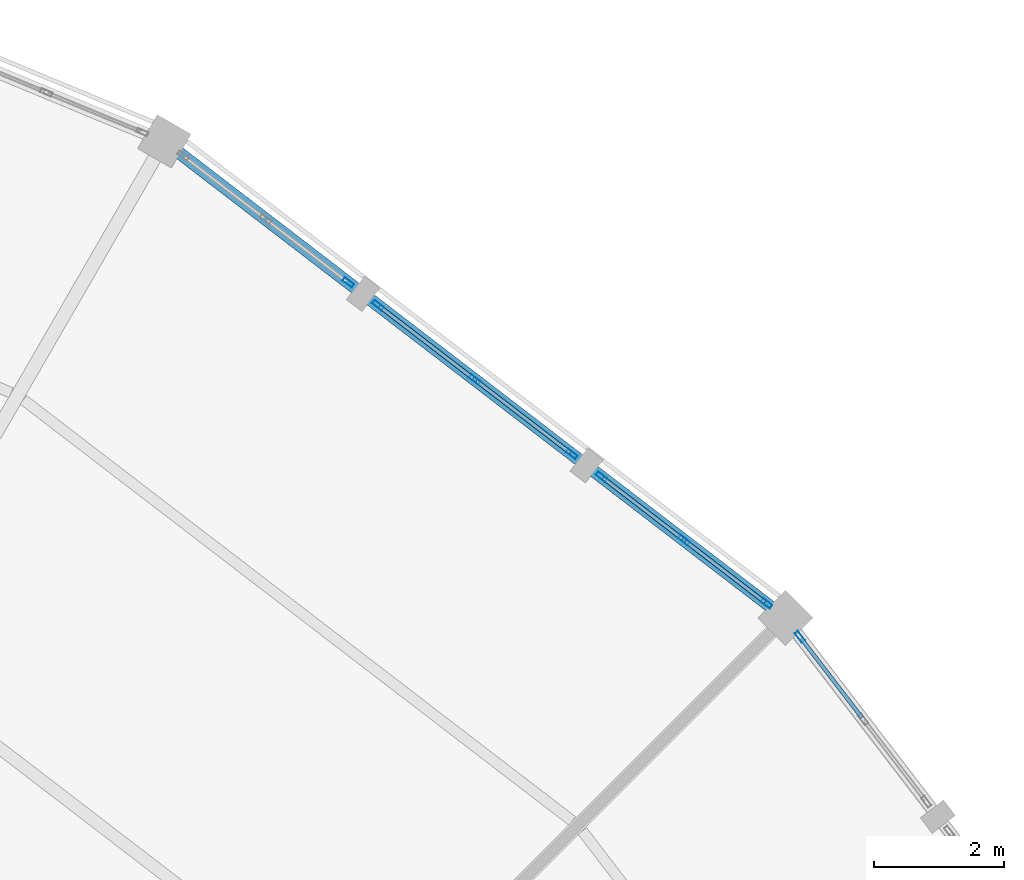
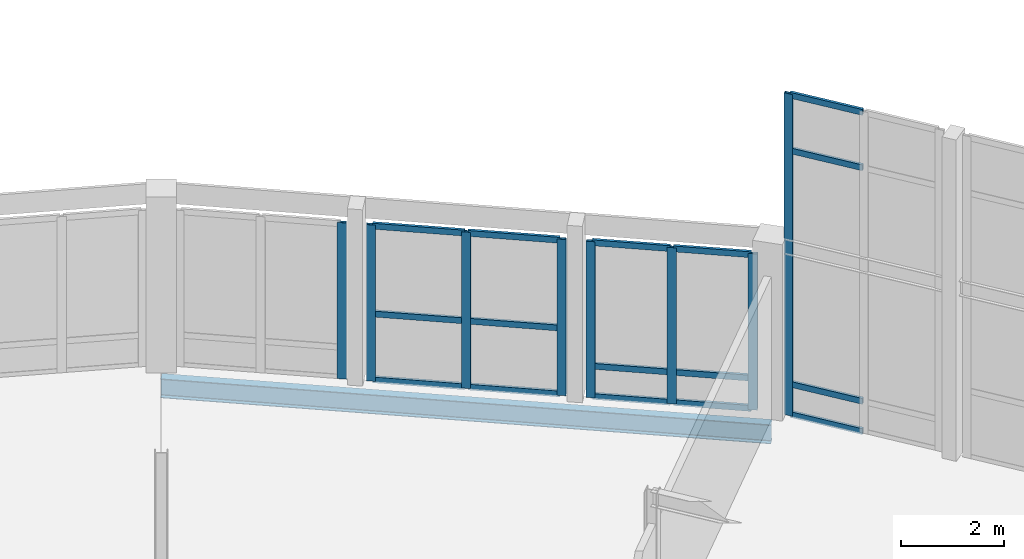
# One storey, part 132 of 185: 24 members, 1 beam, 4 elements without a shape of their own.
"""IFC4 building model written with IfcOpenShell, lengths in metres."""

from ifc_helpers import new_model, si_unit, direction, frame, origin, origin_2d, place, context, subcontext, project, spatial, hollow_rectangle, i_section, extrude, material, material_profile, profile_set, type_object, element, aggregate, save


model = new_model("IFC4")

# Units and contexts
model_context = context("Model", 3, precision=1e-05, world=origin(), true_north=direction((0.0, 1.0)))
body_context = subcontext(model_context, "Body", "Model", "MODEL_VIEW")
ifc_project = project(units=[si_unit("LENGTHUNIT", "METRE"), si_unit("AREAUNIT", "SQUARE_METRE"), si_unit("VOLUMEUNIT", "CUBIC_METRE"), si_unit("PLANEANGLEUNIT", "RADIAN"), si_unit("MASSUNIT", "GRAM", prefix="KILO")], contexts=[model_context])

# Site, building, storey
site_placement = place(None, origin())
site = spatial("IfcSite", under=ifc_project, at=site_placement, CompositionType="ELEMENT")
building_placement = place(site_placement, origin())
building = spatial("IfcBuilding", under=site, at=building_placement, Name="Vondelvale Polytechnic", CompositionType="ELEMENT")
storey_placement = place(building_placement, frame((0.0, 0.0, 9.60009765625)))
storey = spatial("IfcBuildingStorey", under=building, at=storey_placement, Name="L02", CompositionType="ELEMENT", Elevation=9.60009765625)

# Beam
ifc_material_1 = material(Name="Steel 300PLUS (fy = 300 MPa)", Category="steel")
ifc_material_profile_1 = material_profile(ifc_material_1, i_section(OverallWidth=0.18994140625, OverallDepth=0.45703125, WebThickness=0.009033203125, FlangeThickness=0.014404296875, FilletRadius=0.011474609375, at=origin_2d()), Name="460UB74.6")
ifc_profile_set_1 = profile_set([ifc_material_profile_1], Name="Steel 300PLUS (fy = 300 MPa)")
beam_type = type_object("IfcBeamType", Name="BM-UB460", PredefinedType="BEAM", material=ifc_profile_set_1)
beam_placement = place(storey_placement, frame((134.52685546875, 104.52685546875, -0.508544921875), z_axis=(-0.793349743808, 0.608766116008, 0.0), x_axis=(-0.608766116008, -0.793349743808, 0.0)))
element("IfcBeam", 1, at=beam_placement, inside=storey, type_object=beam_type, Name="L02 RB B-13", PredefinedType="BEAM", context=body_context, shape_type="SweptSolid", body=[
    extrude(i_section(OverallWidth=0.18994140625, OverallDepth=0.45703125, WebThickness=0.009033203125, FlangeThickness=0.014404296875, FilletRadius=0.011474609375, at=origin_2d()), origin(), (0.0, 0.0, 1.0), 12.00830078125),
])

# Curtain wall, member
ifc_material_2 = material(Name="Glulam GL18 structural Tasmanian oak (fb = 42 MPa)", Category="wood")
curtain_wall_type = type_object("IfcCurtainWallType", Name="CW-RING-OUTER", PredefinedType="NOTDEFINED", material=ifc_material_2)
curtain_wall_1_placement = place(storey_placement, origin())
curtain_wall_1 = element("IfcCurtainWall", 2, at=curtain_wall_1_placement, inside=storey, type_object=curtain_wall_type, Name="L02 architectural curtain wall CW-04-096", PredefinedType="NOTDEFINED")
ifc_material_3 = material(Name="Anodised extruded aluminium 6063-T6", Category="aluminium")
ifc_material_profile_2 = material_profile(ifc_material_3, hollow_rectangle(XDim=0.06494140625, YDim=0.179931640625, WallThickness=0.00390625, at=origin_2d()), Name="CW-MUL-180x65")
ifc_profile_set_2 = profile_set([ifc_material_profile_2], Name="Anodised extruded aluminium 6063-T6")
member_type_1 = type_object("IfcMemberType", Name="CW-MUL-65x180", PredefinedType="MULLION", material=ifc_profile_set_2)
member_1_placement = place(storey_placement, frame((134.749267578125, 104.237060546875, 0.0), z_axis=(0.0, 0.0, 1.0), x_axis=(-0.793333825656, -0.608786860133, 0.0)))
member_1 = element("IfcMember", 3, at=member_1_placement, type_object=member_type_1, Name="CW-04-096 mullion 3", PredefinedType="MULLION", context=body_context, shape_type="SweptSolid", body=[
    extrude(hollow_rectangle(XDim=0.06494140625, YDim=0.179931640625, WallThickness=0.00390625, at=origin_2d()), origin(), (0.0, 0.0, 1.0), 7.661376953125),
])

# Curtain wall, members
curtain_wall_2_placement = place(storey_placement, origin())
curtain_wall_2 = element("IfcCurtainWall", 4, at=curtain_wall_2_placement, inside=storey, type_object=curtain_wall_type, Name="L02 architectural curtain wall CW-04-105", PredefinedType="NOTDEFINED")
member_2_placement = place(storey_placement, frame((134.237060546875, 104.749267578125, 0.0), z_axis=(0.0, 0.0, 1.0), x_axis=(-0.608786860133, -0.793333825656, 0.0)))
member_2 = element("IfcMember", 5, at=member_2_placement, type_object=member_type_1, Name="CW-04-105 mullion 1", PredefinedType="MULLION", context=body_context, shape_type="SweptSolid", body=[
    extrude(hollow_rectangle(XDim=0.06494140625, YDim=0.179931640625, WallThickness=0.00390625, at=origin_2d()), origin(), (0.0, 0.0, 1.0), 3.719970703125),
])
member_3_placement = place(storey_placement, frame((132.9716796875, 105.72021484375, 0.0), z_axis=(0.0, 0.0, 1.0), x_axis=(-0.608786860133, -0.793333825656, 0.0)))
member_3 = element("IfcMember", 6, at=member_3_placement, type_object=member_type_1, Name="CW-04-105 mullion 2", PredefinedType="MULLION", context=body_context, shape_type="SweptSolid", body=[
    extrude(hollow_rectangle(XDim=0.06494140625, YDim=0.179931640625, WallThickness=0.00390625, at=origin_2d()), origin(), (0.0, 0.0, 1.0), 3.719970703125),
])
member_4_placement = place(storey_placement, frame((131.706298828125, 106.691162109375, 0.0), z_axis=(0.0, 0.0, 1.0), x_axis=(-0.608786860133, -0.793333825656, 0.0)))
member_4 = element("IfcMember", 7, at=member_4_placement, type_object=member_type_1, Name="CW-04-105 mullion 3", PredefinedType="MULLION", context=body_context, shape_type="SweptSolid", body=[
    extrude(hollow_rectangle(XDim=0.06494140625, YDim=0.179931640625, WallThickness=0.00390625, at=origin_2d()), origin(), (0.0, 0.0, 1.0), 3.719970703125),
])

curtain_wall_3_placement = place(storey_placement, origin())
curtain_wall_3 = element("IfcCurtainWall", 8, at=curtain_wall_3_placement, inside=storey, type_object=curtain_wall_type, Name="L02 architectural curtain wall CW-04-106", PredefinedType="NOTDEFINED")
member_5_placement = place(storey_placement, frame((131.250244140625, 107.041259765625, 0.0), z_axis=(0.0, 0.0, 1.0), x_axis=(-0.608771189063, -0.793345851043, 0.0)))
member_5 = element("IfcMember", 9, at=member_5_placement, type_object=member_type_1, Name="CW-04-106 mullion 1", PredefinedType="MULLION", context=body_context, shape_type="SweptSolid", body=[
    extrude(hollow_rectangle(XDim=0.06494140625, YDim=0.179931640625, WallThickness=0.00390625, at=origin_2d()), origin(), (0.0, 0.0, 1.0), 3.719970703125),
])
member_6_placement = place(storey_placement, frame((129.763427734375, 108.18212890625, 0.0), z_axis=(0.0, 0.0, 1.0), x_axis=(-0.608771189063, -0.793345851043, 0.0)))
member_6 = element("IfcMember", 10, at=member_6_placement, type_object=member_type_1, Name="CW-04-106 mullion 2", PredefinedType="MULLION", context=body_context, shape_type="SweptSolid", body=[
    extrude(hollow_rectangle(XDim=0.06494140625, YDim=0.179931640625, WallThickness=0.00390625, at=origin_2d()), origin(), (0.0, 0.0, 1.0), 3.719970703125),
])
member_7_placement = place(storey_placement, frame((128.276611328125, 109.322998046875, 0.0), z_axis=(0.0, 0.0, 1.0), x_axis=(-0.608771189063, -0.793345851043, 0.0)))
member_7 = element("IfcMember", 11, at=member_7_placement, type_object=member_type_1, Name="CW-04-106 mullion 3", PredefinedType="MULLION", context=body_context, shape_type="SweptSolid", body=[
    extrude(hollow_rectangle(XDim=0.06494140625, YDim=0.179931640625, WallThickness=0.00390625, at=origin_2d()), origin(), (0.0, 0.0, 1.0), 3.719970703125),
])

# Curtain wall, member
curtain_wall_4_placement = place(storey_placement, origin())
curtain_wall_4 = element("IfcCurtainWall", 12, at=curtain_wall_4_placement, inside=storey, type_object=curtain_wall_type, Name="L02 architectural curtain wall CW-04-107", PredefinedType="NOTDEFINED")
member_8_placement = place(storey_placement, frame((127.820556640625, 109.6728515625, 0.0), z_axis=(0.0, 0.0, 1.0), x_axis=(-0.608786860133, -0.793333825656, 0.0)))
member_8 = element("IfcMember", 13, at=member_8_placement, type_object=member_type_1, Name="CW-04-107 mullion 1", PredefinedType="MULLION", context=body_context, shape_type="SweptSolid", body=[
    extrude(hollow_rectangle(XDim=0.06494140625, YDim=0.179931640625, WallThickness=0.00390625, at=origin_2d()), origin(), (0.0, 0.0, 1.0), 3.719970703125),
])
aggregate(curtain_wall_4, [member_8])

# Member
ifc_material_profile_3 = material_profile(ifc_material_3, hollow_rectangle(XDim=0.06005859375, YDim=0.139892578125, WallThickness=0.00341796875, at=origin_2d()), Name="CW-TRN-140x60")
ifc_profile_set_3 = profile_set([ifc_material_profile_3], Name="Anodised extruded aluminium 6063-T6")
member_type_2 = type_object("IfcMemberType", Name="CW-TRN-60x140", PredefinedType="USERDEFINED", material=ifc_profile_set_3)
member_9_placement = place(storey_placement, frame((135.700439453125, 102.99755859375, 0.02978515625), z_axis=(-0.608746385664, 0.793364883229, 0.0), x_axis=(-0.793364883229, -0.608746385664, 0.0)))
member_9 = element("IfcMember", 14, at=member_9_placement, type_object=member_type_2, Name="CW-04-096 transom 2.1", ObjectType="TRANSOM", PredefinedType="USERDEFINED", context=body_context, shape_type="SweptSolid", body=[
    extrude(hollow_rectangle(XDim=0.06005859375, YDim=0.139892578125, WallThickness=0.00341796875, at=origin_2d()), origin(), (0.0, 0.0, 1.0), 1.530029296875),
])

member_10_placement = place(storey_placement, frame((135.700439453125, 102.99755859375, 0.75), z_axis=(-0.608746385664, 0.793364883229, 0.0), x_axis=(-0.793364883229, -0.608746385664, 0.0)))
member_10 = element("IfcMember", 15, at=member_10_placement, type_object=member_type_2, Name="CW-04-096 transom 2.2", ObjectType="TRANSOM", PredefinedType="USERDEFINED", context=body_context, shape_type="SweptSolid", body=[
    extrude(hollow_rectangle(XDim=0.06005859375, YDim=0.139892578125, WallThickness=0.00341796875, at=origin_2d()), origin(), (0.0, 0.0, 1.0), 1.530029296875),
])

member_11_placement = place(storey_placement, frame((135.700439453125, 102.99755859375, 6.311279296875), z_axis=(-0.608746385664, 0.793364883229, 0.0), x_axis=(-0.793364883229, -0.608746385664, 0.0)))
member_11 = element("IfcMember", 16, at=member_11_placement, type_object=member_type_2, Name="CW-04-096 transom 2.3", ObjectType="TRANSOM", PredefinedType="USERDEFINED", context=body_context, shape_type="SweptSolid", body=[
    extrude(hollow_rectangle(XDim=0.06005859375, YDim=0.139892578125, WallThickness=0.00341796875, at=origin_2d()), origin(), (0.0, 0.0, 1.0), 1.530029296875),
])

member_12_placement = place(storey_placement, frame((135.700439453125, 102.99755859375, 7.63134765625), z_axis=(-0.608746385664, 0.793364883229, 0.0), x_axis=(-0.793364883229, -0.608746385664, 0.0)))
member_12 = element("IfcMember", 17, at=member_12_placement, type_object=member_type_2, Name="CW-04-096 transom 2.4", ObjectType="TRANSOM", PredefinedType="USERDEFINED", context=body_context, shape_type="SweptSolid", body=[
    extrude(hollow_rectangle(XDim=0.06005859375, YDim=0.139892578125, WallThickness=0.00341796875, at=origin_2d()), origin(), (0.0, 0.0, 1.0), 1.530029296875),
])

aggregate(curtain_wall_1, [member_1, member_9, member_10, member_11, member_12])

member_13_placement = place(storey_placement, frame((134.21142578125, 104.76904296875, 0.02978515625), z_axis=(-0.793364883229, 0.608746385664, 0.0), x_axis=(-0.608746385664, -0.793364883229, 0.0)))
member_13 = element("IfcMember", 18, at=member_13_placement, type_object=member_type_2, Name="CW-04-105 transom 1.1", ObjectType="TRANSOM", PredefinedType="USERDEFINED", context=body_context, shape_type="SweptSolid", body=[
    extrude(hollow_rectangle(XDim=0.06005859375, YDim=0.139892578125, WallThickness=0.00341796875, at=origin_2d()), origin(), (0.0, 0.0, 1.0), 1.530029296875),
])

member_14_placement = place(storey_placement, frame((134.21142578125, 104.76904296875, 0.75), z_axis=(-0.793364883229, 0.608746385664, 0.0), x_axis=(-0.608746385664, -0.793364883229, 0.0)))
member_14 = element("IfcMember", 19, at=member_14_placement, type_object=member_type_2, Name="CW-04-105 transom 1.2", ObjectType="TRANSOM", PredefinedType="USERDEFINED", context=body_context, shape_type="SweptSolid", body=[
    extrude(hollow_rectangle(XDim=0.06005859375, YDim=0.139892578125, WallThickness=0.00341796875, at=origin_2d()), origin(), (0.0, 0.0, 1.0), 1.530029296875),
])

member_15_placement = place(storey_placement, frame((134.21142578125, 104.76904296875, 3.68994140625), z_axis=(-0.793364883229, 0.608746385664, 0.0), x_axis=(-0.608746385664, -0.793364883229, 0.0)))
member_15 = element("IfcMember", 20, at=member_15_placement, type_object=member_type_2, Name="CW-04-105 transom 1.3", ObjectType="TRANSOM", PredefinedType="USERDEFINED", context=body_context, shape_type="SweptSolid", body=[
    extrude(hollow_rectangle(XDim=0.06005859375, YDim=0.139892578125, WallThickness=0.00341796875, at=origin_2d()), origin(), (0.0, 0.0, 1.0), 1.530029296875),
])

member_16_placement = place(storey_placement, frame((132.946044921875, 105.739990234375, 0.02978515625), z_axis=(-0.793364883229, 0.608746385664, 0.0), x_axis=(-0.608746385664, -0.793364883229, 0.0)))
member_16 = element("IfcMember", 21, at=member_16_placement, type_object=member_type_2, Name="CW-04-105 transom 2.1", ObjectType="TRANSOM", PredefinedType="USERDEFINED", context=body_context, shape_type="SweptSolid", body=[
    extrude(hollow_rectangle(XDim=0.06005859375, YDim=0.139892578125, WallThickness=0.00341796875, at=origin_2d()), origin(), (0.0, 0.0, 1.0), 1.530029296875),
])

member_17_placement = place(storey_placement, frame((132.946044921875, 105.739990234375, 0.75), z_axis=(-0.793364883229, 0.608746385664, 0.0), x_axis=(-0.608746385664, -0.793364883229, 0.0)))
member_17 = element("IfcMember", 22, at=member_17_placement, type_object=member_type_2, Name="CW-04-105 transom 2.2", ObjectType="TRANSOM", PredefinedType="USERDEFINED", context=body_context, shape_type="SweptSolid", body=[
    extrude(hollow_rectangle(XDim=0.06005859375, YDim=0.139892578125, WallThickness=0.00341796875, at=origin_2d()), origin(), (0.0, 0.0, 1.0), 1.530029296875),
])

member_18_placement = place(storey_placement, frame((132.946044921875, 105.739990234375, 3.68994140625), z_axis=(-0.793364883229, 0.608746385664, 0.0), x_axis=(-0.608746385664, -0.793364883229, 0.0)))
member_18 = element("IfcMember", 23, at=member_18_placement, type_object=member_type_2, Name="CW-04-105 transom 2.3", ObjectType="TRANSOM", PredefinedType="USERDEFINED", context=body_context, shape_type="SweptSolid", body=[
    extrude(hollow_rectangle(XDim=0.06005859375, YDim=0.139892578125, WallThickness=0.00341796875, at=origin_2d()), origin(), (0.0, 0.0, 1.0), 1.530029296875),
])

aggregate(curtain_wall_2, [member_2, member_3, member_4, member_13, member_14, member_15, member_16, member_17, member_18])

member_19_placement = place(storey_placement, frame((131.224365234375, 107.06103515625, 0.02978515625), z_axis=(-0.793310842007, 0.608816809849, 0.0), x_axis=(-0.608816809849, -0.793310842007, 0.0)))
member_19 = element("IfcMember", 24, at=member_19_placement, type_object=member_type_2, Name="CW-04-106 transom 1.1", ObjectType="TRANSOM", PredefinedType="USERDEFINED", context=body_context, shape_type="SweptSolid", body=[
    extrude(hollow_rectangle(XDim=0.06005859375, YDim=0.139892578125, WallThickness=0.00341796875, at=origin_2d()), origin(), (0.0, 0.0, 1.0), 1.808837890625),
])

member_20_placement = place(storey_placement, frame((131.224365234375, 107.06103515625, 1.599853515625), z_axis=(-0.793310842007, 0.608816809849, 0.0), x_axis=(-0.608816809849, -0.793310842007, 0.0)))
member_20 = element("IfcMember", 25, at=member_20_placement, type_object=member_type_2, Name="CW-04-106 transom 1.2", ObjectType="TRANSOM", PredefinedType="USERDEFINED", context=body_context, shape_type="SweptSolid", body=[
    extrude(hollow_rectangle(XDim=0.06005859375, YDim=0.139892578125, WallThickness=0.00341796875, at=origin_2d()), origin(), (0.0, 0.0, 1.0), 1.808837890625),
])

member_21_placement = place(storey_placement, frame((131.224365234375, 107.06103515625, 3.68994140625), z_axis=(-0.793310842007, 0.608816809849, 0.0), x_axis=(-0.608816809849, -0.793310842007, 0.0)))
member_21 = element("IfcMember", 26, at=member_21_placement, type_object=member_type_2, Name="CW-04-106 transom 1.3", ObjectType="TRANSOM", PredefinedType="USERDEFINED", context=body_context, shape_type="SweptSolid", body=[
    extrude(hollow_rectangle(XDim=0.06005859375, YDim=0.139892578125, WallThickness=0.00341796875, at=origin_2d()), origin(), (0.0, 0.0, 1.0), 1.808837890625),
])

member_22_placement = place(storey_placement, frame((129.737548828125, 108.201904296875, 0.02978515625), z_axis=(-0.793310842007, 0.608816809849, 0.0), x_axis=(-0.608816809849, -0.793310842007, 0.0)))
member_22 = element("IfcMember", 27, at=member_22_placement, type_object=member_type_2, Name="CW-04-106 transom 2.1", ObjectType="TRANSOM", PredefinedType="USERDEFINED", context=body_context, shape_type="SweptSolid", body=[
    extrude(hollow_rectangle(XDim=0.06005859375, YDim=0.139892578125, WallThickness=0.00341796875, at=origin_2d()), origin(), (0.0, 0.0, 1.0), 1.808837890625),
])

member_23_placement = place(storey_placement, frame((129.737548828125, 108.201904296875, 1.599853515625), z_axis=(-0.793310842007, 0.608816809849, 0.0), x_axis=(-0.608816809849, -0.793310842007, 0.0)))
member_23 = element("IfcMember", 28, at=member_23_placement, type_object=member_type_2, Name="CW-04-106 transom 2.2", ObjectType="TRANSOM", PredefinedType="USERDEFINED", context=body_context, shape_type="SweptSolid", body=[
    extrude(hollow_rectangle(XDim=0.06005859375, YDim=0.139892578125, WallThickness=0.00341796875, at=origin_2d()), origin(), (0.0, 0.0, 1.0), 1.808837890625),
])

member_24_placement = place(storey_placement, frame((129.737548828125, 108.201904296875, 3.68994140625), z_axis=(-0.793310842007, 0.608816809849, 0.0), x_axis=(-0.608816809849, -0.793310842007, 0.0)))
member_24 = element("IfcMember", 29, at=member_24_placement, type_object=member_type_2, Name="CW-04-106 transom 2.3", ObjectType="TRANSOM", PredefinedType="USERDEFINED", context=body_context, shape_type="SweptSolid", body=[
    extrude(hollow_rectangle(XDim=0.06005859375, YDim=0.139892578125, WallThickness=0.00341796875, at=origin_2d()), origin(), (0.0, 0.0, 1.0), 1.808837890625),
])

aggregate(curtain_wall_3, [member_5, member_6, member_7, member_19, member_20, member_21, member_22, member_23, member_24])

save(model, "model.ifc")
